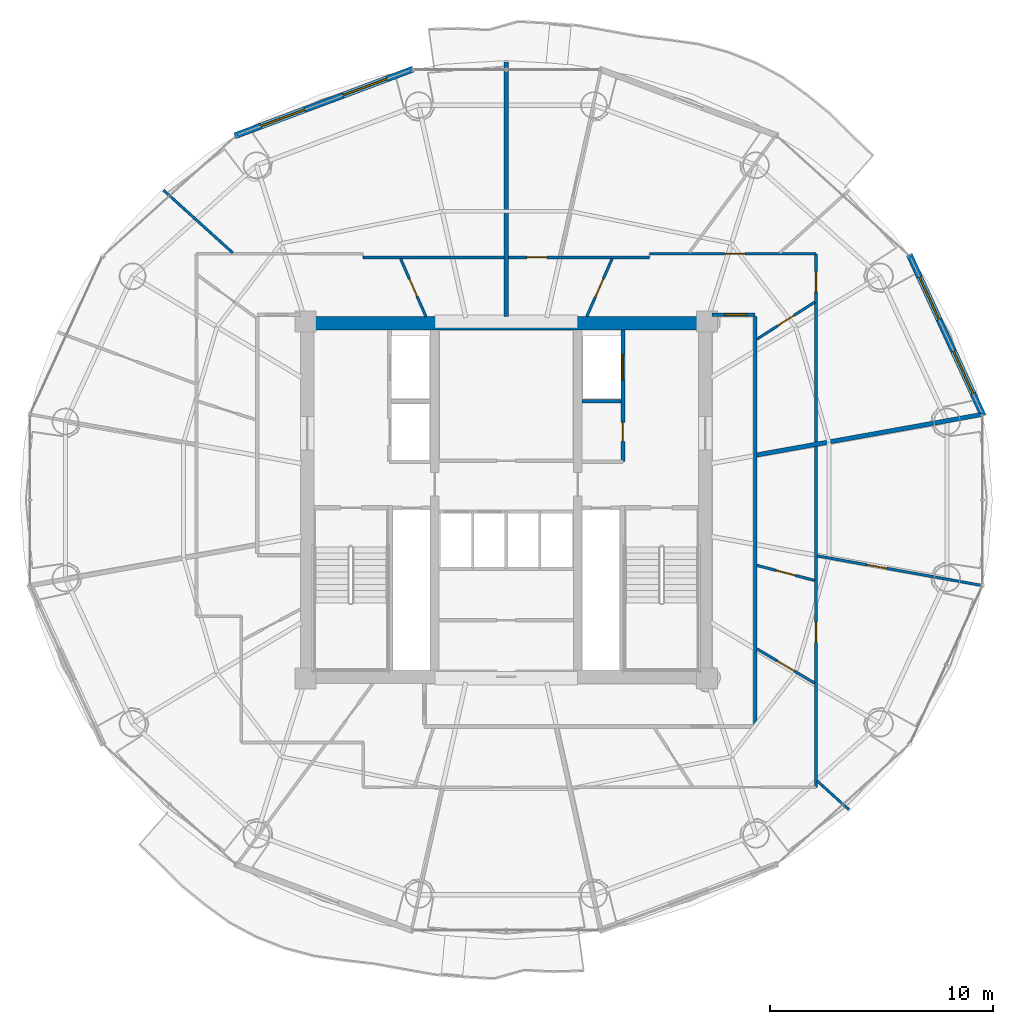
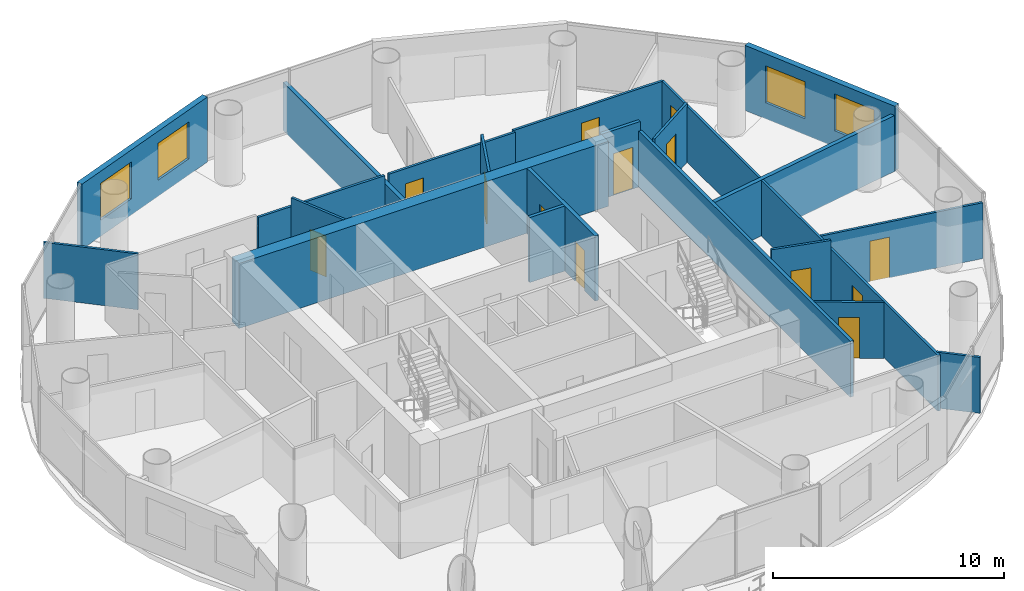
# One storey, part 22 of 27: 22 walls, 13 doors, 4 windows, 17 openings.
"""IFC4 building model written with IfcOpenShell, lengths in metres."""

from ifc_helpers import new_model, si_unit, direction, frame, frame_2d, origin, place, context, subcontext, project, spatial, rectangle, extrude, source, transform, mapped, material, layer, layer_set, type_object, element, fill, save


model = new_model("IFC4")

# Units and contexts
model_context = context("Model", 3, precision=1e-05, world=origin(), true_north=direction((-0.2419218956, 0.970295726276)))
body_context = subcontext(model_context, "Body", "Model", "MODEL_VIEW")
ifc_project = project(units=[si_unit("LENGTHUNIT", "METRE"), si_unit("AREAUNIT", "SQUARE_METRE"), si_unit("VOLUMEUNIT", "CUBIC_METRE"), si_unit("PLANEANGLEUNIT", "RADIAN"), si_unit("MASSUNIT", "GRAM", prefix="KILO")], contexts=[model_context])

# Site, building, storey
site_placement = place(None, origin())
site = spatial("IfcSite", under=ifc_project, at=site_placement, CompositionType="ELEMENT")
building_placement = place(site_placement, origin())
building = spatial("IfcBuilding", under=site, at=building_placement, Name="Cobrevalo Terracotta Tower", CompositionType="ELEMENT")
storey_placement = place(building_placement, frame((0.0, 0.0, 191.199951171875)))
storey = spatial("IfcBuildingStorey", under=building, at=storey_placement, Name="L50", CompositionType="ELEMENT", Elevation=191.199951171875)

# Walls
ifc_material_1 = material(Name="Concrete C55", Category="concrete")
ifc_layer_1 = layer(ifc_material_1, 0.60009765625)
ifc_layer_set_1 = layer_set([ifc_layer_1], Name="Concrete C55")
wall_type_1 = type_object("IfcWallType", Name="Core shear wall 600 mm Concrete C55", PredefinedType="SHEAR", material=ifc_layer_set_1)
wall_1_placement = place(storey_placement, frame((28.77490234375, 34.72509765625, 0.0), z_axis=(0.0, 0.0, 1.0), x_axis=(1.0, 0.0, 0.0)))
element("IfcWall", 1, at=wall_1_placement, inside=storey, type_object=wall_type_1, Name="L50 north core shear wall", PredefinedType="SHEAR", context=body_context, shape_type="SweptSolid", body=[
    extrude(rectangle(XDim=18.4501953125, YDim=0.60009765625, at=frame_2d((9.22509765625, 0.0))), origin(), (0.0, 0.0, 1.0), 3.43505859375),
])
ifc_material_2 = material(Name="Gypsum board on steel stud", Category="steel")
ifc_layer_2 = layer(ifc_material_2, 0.159912109375)
ifc_layer_set_2 = layer_set([ifc_layer_2], Name="Gypsum board on steel stud")
wall_type_2 = type_object("IfcWallType", Name="Fire-rated corridor acoustic partition wall 160 mm", PredefinedType="PARTITIONING", material=ifc_layer_set_2)
wall_2_placement = place(storey_placement, frame((41.389892578125, 31.219970703125, 0.0), z_axis=(0.0, 0.0, 1.0), x_axis=(1.0, 0.0, 0.0)))
element("IfcWall", 2, at=wall_2_placement, inside=storey, type_object=wall_type_2, Name="L50 interior partition IW-L50-FF2-M", PredefinedType="PARTITIONING", context=body_context, shape_type="SweptSolid", body=[
    extrude(rectangle(XDim=1.75, YDim=0.159912109375, at=frame_2d((0.875, 0.0))), origin(), (0.0, 0.0, 1.0), 3.43505859375),
])
wall_3_placement = place(storey_placement, frame((49.155029296875, 16.72509765625, 0.0), z_axis=(0.0, 0.0, 1.0), x_axis=(0.0, 1.0, 0.0)))
element("IfcWall", 3, at=wall_3_placement, inside=storey, type_object=wall_type_2, Name="L50 interior partition IW-L50-COR-E", PredefinedType="PARTITIONING", context=body_context, shape_type="SweptSolid", body=[
    extrude(rectangle(XDim=18.2998046875, YDim=0.159912109375, at=frame_2d((9.14990234375, 0.0))), origin(), (0.0, 0.0, 1.0), 2.950927734375),
])

# Wall, opening, door
wall_4_placement = place(storey_placement, frame((47.22509765625, 35.10498046875, 0.0), z_axis=(0.0, 0.0, 1.0), x_axis=(1.0, 0.0, 0.0)))
wall_4 = element("IfcWall", 4, at=wall_4_placement, inside=storey, type_object=wall_type_2, Name="L50 interior partition IW-L50-COR-EN-CAP", PredefinedType="PARTITIONING", context=body_context, shape_type="SweptSolid", body=[
    extrude(rectangle(XDim=1.929931640625, YDim=0.159912109375, at=frame_2d((0.96484375, 0.0))), origin(), (0.0, 0.0, 1.0), 3.43505859375),
])
opening_1_placement = place(wall_4_placement, frame((0.580078125, 0.0, 0.0)))
opening_1 = element("IfcOpeningElement", 5, at=opening_1_placement, cuts=wall_4, Name="Opening ID-05", PredefinedType="OPENING", context=body_context, shape_type="SweptSolid", body=[
    extrude(rectangle(XDim=0.97998046875, YDim=2.199951171875, at=frame_2d((0.489990234375, 1.10009765625))), frame((0.0, 0.08984375, 0.0), z_axis=(0.0, -1.0, 0.0), x_axis=(1.0, 0.0, 0.0)), (0.0, 0.0, 1.0), 0.179931640625),
])
ifc_material_3 = material(Name="Solid hardwood timber", Category="wood")
door_type_1 = type_object("IfcDoorType", Name="Residence entrance fire-rated acoustic timber door 980x2200 EI 60", OperationType="NOTDEFINED", PredefinedType="DOOR", material=ifc_material_3)
shared_shape_1 = source(origin(), body_context, "Body", "SweptSolid", [
    extrude(rectangle(XDim=0.97998046875, YDim=2.199951171875, at=frame_2d((0.489990234375, 1.10009765625))), frame((0.0, 0.02490234375, 0.0), z_axis=(0.0, -1.0, 0.0), x_axis=(1.0, 0.0, 0.0)), (0.0, 0.0, 1.0), 0.050048828125),
])
door_1_placement = place(opening_1_placement, origin())
door_1 = element("IfcDoor", 6, at=door_1_placement, inside=storey, type_object=door_type_1, Name="Flat L50A fire-rated apartment entrance door", OperationType="SINGLE_SWING_LEFT", OverallHeight=2.199951171875, OverallWidth=0.97998046875, PredefinedType="DOOR", context=body_context, shape_type="MappedRepresentation", body=[
    mapped(shared_shape_1, transform((0.0, 0.0, 0.0), scale=1.0)),
])
fill(opening_1, door_1)

# Wall, openings, doors
ifc_layer_3 = layer(ifc_material_2, 0.179931640625)
ifc_layer_set_3 = layer_set([ifc_layer_3], Name="Gypsum board on steel stud")
wall_type_3 = type_object("IfcWallType", Name="Fire-rated shaft & lobby acoustic partition wall 180 mm", PredefinedType="PARTITIONING", material=ifc_layer_set_3)
wall_5_placement = place(storey_placement, frame((43.22998046875, 28.52001953125, 0.0), z_axis=(0.0, 0.0, 1.0), x_axis=(0.0, 1.0, 0.0)))
wall_5 = element("IfcWall", 7, at=wall_5_placement, inside=storey, type_object=wall_type_3, Name="L50 interior partition IW-L50-FF2-E", PredefinedType="PARTITIONING", context=body_context, shape_type="SweptSolid", body=[
    extrude(rectangle(XDim=5.905029296875, YDim=0.179931640625, at=frame_2d((2.95263671875, 0.0))), origin(), (0.0, 0.0, 1.0), 3.43505859375),
])
opening_2_placement = place(wall_5_placement, frame((0.905029296875, 0.0, 0.0)))
opening_2 = element("IfcOpeningElement", 8, at=opening_2_placement, cuts=wall_5, Name="Opening ID-22", PredefinedType="OPENING", context=body_context, shape_type="SweptSolid", body=[
    extrude(rectangle(XDim=0.85009765625, YDim=2.10009765625, at=frame_2d((0.425048828125, 1.050048828125))), frame((0.0, 0.10009765625, 0.0), z_axis=(0.0, -1.0, 0.0), x_axis=(1.0, 0.0, 0.0)), (0.0, 0.0, 1.0), 0.199951171875),
])
opening_3_placement = place(wall_5_placement, frame((3.655029296875, 0.0, 0.0)))
opening_3 = element("IfcOpeningElement", 9, at=opening_3_placement, cuts=wall_5, Name="Opening LD-02", PredefinedType="OPENING", context=body_context, shape_type="SweptSolid", body=[
    extrude(rectangle(XDim=1.14990234375, YDim=2.199951171875, at=frame_2d((0.574951171875, 1.10009765625))), frame((0.0, 0.10009765625, 0.0), z_axis=(0.0, -1.0, 0.0), x_axis=(1.0, 0.0, 0.0)), (0.0, 0.0, 1.0), 0.199951171875),
])
ifc_material_4 = material(Name="Powder-coated steel", Category="steel")
door_type_2 = type_object("IfcDoorType", Name="Riser shaft & meter closet fire access door 850x2100 EI 60", OperationType="NOTDEFINED", PredefinedType="DOOR", material=ifc_material_4)
shared_shape_2 = source(origin(), body_context, "Body", "SweptSolid", [
    extrude(rectangle(XDim=0.85009765625, YDim=2.10009765625, at=frame_2d((0.425048828125, 1.050048828125))), frame((0.0, 0.02490234375, 0.0), z_axis=(0.0, -1.0, 0.0), x_axis=(1.0, 0.0, 0.0)), (0.0, 0.0, 1.0), 0.050048828125),
])
door_2_placement = place(opening_2_placement, frame((0.85009765625, 0.0, 0.0), z_axis=(0.0, 0.0, 1.0), x_axis=(-1.0, 0.0, 0.0)))
door_2 = element("IfcDoor", 10, at=door_2_placement, inside=storey, type_object=door_type_2, Name="L50 housekeeping store door", OperationType="SINGLE_SWING_RIGHT", OverallHeight=2.10009765625, OverallWidth=0.85009765625, PredefinedType="DOOR", context=body_context, shape_type="MappedRepresentation", body=[
    mapped(shared_shape_2, transform((0.0, 0.0, 0.0), scale=1.0)),
])
fill(opening_2, door_2)
ifc_material_5 = material(Name="Brushed stainless steel", Category="steel")
door_type_3 = type_object("IfcDoorType", Name="Firefighting lift landing bi-parting sliding door 1150x2200 EI 120", OperationType="DOUBLE_DOOR_SLIDING", PredefinedType="DOOR", material=ifc_material_5)
shared_shape_3 = source(origin(), body_context, "Body", "SweptSolid", [
    extrude(rectangle(XDim=1.14990234375, YDim=2.199951171875, at=frame_2d((0.574951171875, 1.10009765625))), frame((0.0, 0.02490234375, 0.0), z_axis=(0.0, -1.0, 0.0), x_axis=(1.0, 0.0, 0.0)), (0.0, 0.0, 1.0), 0.050048828125),
])
door_3_placement = place(opening_3_placement, origin())
door_3 = element("IfcDoor", 11, at=door_3_placement, inside=storey, type_object=door_type_3, Name="L50 lift landing door FF-2", OperationType="DOUBLE_DOOR_SLIDING", OverallHeight=2.199951171875, OverallWidth=1.14990234375, PredefinedType="DOOR", context=body_context, shape_type="MappedRepresentation", body=[
    mapped(shared_shape_3, transform((0.0, 0.0, 0.0), scale=1.0)),
])
fill(opening_3, door_3)

# Walls
ifc_material_6 = material(Name="Autoclaved aerated concrete block", Category="concrete")
ifc_layer_4 = layer(ifc_material_6, 0.199951171875)
ifc_layer_set_4 = layer_set([ifc_layer_4], Name="Autoclaved aerated concrete block")
wall_type_4 = type_object("IfcWallType", Name="Fire-rated stair, shaft & demising masonry wall 200 mm", PredefinedType="PARTITIONING", material=ifc_layer_set_4)
wall_6_placement = place(storey_placement, frame((49.237060546875, 28.81982421875, 0.0), z_axis=(0.0, 0.0, 1.0), x_axis=(0.984224859606, 0.176922089446, 0.0)))
element("IfcWall", 12, at=wall_6_placement, inside=storey, type_object=wall_type_4, Name="L50 interior partition IW-L50-DEM-1", PredefinedType="PARTITIONING", context=body_context, shape_type="SweptSolid", body=[
    extrude(rectangle(XDim=10.200439453125, YDim=0.199951171875, at=frame_2d((5.10009765625, 0.0))), origin(), (0.0, 0.0, 1.0), 2.950927734375),
])
wall_7_placement = place(storey_placement, frame((38.0, 35.027099609375, 0.0), z_axis=(0.0, 0.0, 1.0), x_axis=(0.0, 1.0, 0.0)))
element("IfcWall", 13, at=wall_7_placement, inside=storey, type_object=wall_type_4, Name="L50 interior partition IW-L50-DEM-2", PredefinedType="PARTITIONING", context=body_context, shape_type="SweptSolid", body=[
    extrude(rectangle(XDim=11.412841796875, YDim=0.199951171875, at=frame_2d((5.70654296875, 0.0))), origin(), (0.0, 0.0, 1.0), 2.52001953125),
])

# Wall, openings, windows
ifc_layer_5 = layer(ifc_material_6, 0.280029296875)
ifc_layer_set_5 = layer_set([ifc_layer_5], Name="Autoclaved aerated concrete block")
wall_type_5 = type_object("IfcWallType", Name="Insulated tower spandrel & pier wall 280 mm with terracotta rainscreen", PredefinedType="SOLIDWALL", material=ifc_layer_set_5)
wall_8_placement = place(storey_placement, frame((59.385009765625, 30.564697265625, 0.0), z_axis=(0.0, 0.0, 1.0), x_axis=(-0.416717018135, 0.909036262641, 0.0)))
wall_8 = element("IfcWall", 14, at=wall_8_placement, inside=storey, type_object=wall_type_5, Name="L50 terracotta rainscreen pier wall S01", PredefinedType="SOLIDWALL", context=body_context, shape_type="SweptSolid", body=[
    extrude(rectangle(XDim=7.960205078125, YDim=0.280029296875, at=frame_2d((3.97998046875, 0.0))), origin(), (0.0, 0.0, 1.0), 3.43505859375),
])
opening_4_placement = place(wall_8_placement, frame((1.099365234375, 0.0, 0.85009765625)))
opening_4 = element("IfcOpeningElement", 15, at=opening_4_placement, cuts=wall_8, Name="Opening WN-10", PredefinedType="OPENING", context=body_context, shape_type="SweptSolid", body=[
    extrude(rectangle(XDim=2.10009765625, YDim=1.949951171875, at=frame_2d((1.050048828125, 0.97509765625))), frame((0.0, 0.14990234375, 0.0), z_axis=(0.0, -1.0, 0.0), x_axis=(1.0, 0.0, 0.0)), (0.0, 0.0, 1.0), 0.300048828125),
])
opening_5_placement = place(wall_8_placement, frame((4.760986328125, 0.0, 0.85009765625)))
opening_5 = element("IfcOpeningElement", 16, at=opening_5_placement, cuts=wall_8, Name="Opening WN-10", PredefinedType="OPENING", context=body_context, shape_type="SweptSolid", body=[
    extrude(rectangle(XDim=2.10009765625, YDim=1.949951171875, at=frame_2d((1.050048828125, 0.97509765625))), frame((0.0, 0.14990234375, 0.0), z_axis=(0.0, -1.0, 0.0), x_axis=(1.0, 0.0, 0.0)), (0.0, 0.0, 1.0), 0.300048828125),
])
ifc_material_7 = material(Name="Solar-control low-E double glazing", Category="glass")
window_type = type_object("IfcWindowType", Name="Wide panoramic low-E aluminium window 2100x1950", PartitioningType="SINGLE_PANEL", PredefinedType="WINDOW", material=ifc_material_7)
shared_shape_4 = source(origin(), body_context, "Body", "SweptSolid", [
    extrude(rectangle(XDim=2.10009765625, YDim=1.949951171875, at=frame_2d((1.050048828125, 0.97509765625))), frame((0.0, 0.030029296875, 0.0), z_axis=(0.0, -1.0, 0.0), x_axis=(1.0, 0.0, 0.0)), (0.0, 0.0, 1.0), 0.06005859375),
])
window_1_placement = place(opening_4_placement, origin())
window_1 = element("IfcWindow", 17, at=window_1_placement, inside=storey, type_object=window_type, Name="L50 suite window S01A", OverallHeight=1.949951171875, OverallWidth=2.10009765625, PartitioningType="SINGLE_PANEL", PredefinedType="WINDOW", context=body_context, shape_type="MappedRepresentation", body=[
    mapped(shared_shape_4, transform((0.0, 0.0, 0.0), scale=1.0)),
])
fill(opening_4, window_1)
window_2_placement = place(opening_5_placement, origin())
window_2 = element("IfcWindow", 18, at=window_2_placement, inside=storey, type_object=window_type, Name="L50 suite window S01B", OverallHeight=1.949951171875, OverallWidth=2.10009765625, PartitioningType="SINGLE_PANEL", PredefinedType="WINDOW", context=body_context, shape_type="MappedRepresentation", body=[
    mapped(shared_shape_4, transform((0.0, 0.0, 0.0), scale=1.0)),
])
fill(opening_5, window_2)

wall_9_placement = place(storey_placement, frame((33.827880859375, 46.1201171875, 0.0), z_axis=(0.0, 0.0, 1.0), x_axis=(-0.936556918375, -0.350515532672, 0.0)))
wall_9 = element("IfcWall", 19, at=wall_9_placement, inside=storey, type_object=wall_type_5, Name="L50 terracotta rainscreen pier wall S05", PredefinedType="SOLIDWALL", context=body_context, shape_type="SweptSolid", body=[
    extrude(rectangle(XDim=8.539306640625, YDim=0.280029296875, at=frame_2d((4.26953125, 0.0))), origin(), (0.0, 0.0, 1.0), 3.43505859375),
])
opening_6_placement = place(wall_9_placement, frame((1.255615234375, 0.0, 0.85009765625)))
opening_6 = element("IfcOpeningElement", 20, at=opening_6_placement, cuts=wall_9, Name="Opening WN-10", PredefinedType="OPENING", context=body_context, shape_type="SweptSolid", body=[
    extrude(rectangle(XDim=2.10009765625, YDim=1.949951171875, at=frame_2d((1.050048828125, 0.97509765625))), frame((0.0, 0.14990234375, 0.0), z_axis=(0.0, -1.0, 0.0), x_axis=(1.0, 0.0, 0.0)), (0.0, 0.0, 1.0), 0.300048828125),
])
opening_7_placement = place(wall_9_placement, frame((5.18359375, 0.0, 0.85009765625)))
opening_7 = element("IfcOpeningElement", 21, at=opening_7_placement, cuts=wall_9, Name="Opening WN-10", PredefinedType="OPENING", context=body_context, shape_type="SweptSolid", body=[
    extrude(rectangle(XDim=2.10009765625, YDim=1.949951171875, at=frame_2d((1.050048828125, 0.97509765625))), frame((0.0, 0.14990234375, 0.0), z_axis=(0.0, -1.0, 0.0), x_axis=(1.0, 0.0, 0.0)), (0.0, 0.0, 1.0), 0.300048828125),
])
window_3_placement = place(opening_6_placement, origin())
window_3 = element("IfcWindow", 22, at=window_3_placement, inside=storey, type_object=window_type, Name="L50 suite window S05A", OverallHeight=1.949951171875, OverallWidth=2.10009765625, PartitioningType="SINGLE_PANEL", PredefinedType="WINDOW", context=body_context, shape_type="MappedRepresentation", body=[
    mapped(shared_shape_4, transform((0.0, 0.0, 0.0), scale=1.0)),
])
fill(opening_6, window_3)
window_4_placement = place(opening_7_placement, origin())
window_4 = element("IfcWindow", 23, at=window_4_placement, inside=storey, type_object=window_type, Name="L50 suite window S05B", OverallHeight=1.949951171875, OverallWidth=2.10009765625, PartitioningType="SINGLE_PANEL", PredefinedType="WINDOW", context=body_context, shape_type="MappedRepresentation", body=[
    mapped(shared_shape_4, transform((0.0, 0.0, 0.0), scale=1.0)),
])
fill(opening_7, window_4)

# Wall, opening, door
ifc_layer_6 = layer(ifc_material_2, 0.1201171875)
ifc_layer_set_6 = layer_set([ifc_layer_6], Name="Gypsum board on steel stud")
wall_type_6 = type_object("IfcWallType", Name="Residential internal acoustic stud partition 120 mm", PredefinedType="PARTITIONING", material=ifc_layer_set_6)
wall_10_placement = place(storey_placement, frame((38.10205078125, 37.675048828125, 0.0), z_axis=(0.0, 0.0, 1.0), x_axis=(1.0, 0.0, 0.0)))
wall_10 = element("IfcWall", 24, at=wall_10_placement, inside=storey, type_object=wall_type_6, Name="L50 interior partition IW-L50-U1-RING0_0", PredefinedType="PARTITIONING", context=body_context, shape_type="SweptSolid", body=[
    extrude(rectangle(XDim=6.31298828125, YDim=0.1201171875, at=frame_2d((3.156494140625, 0.0))), origin(), (0.0, 0.0, 1.0), 2.950927734375),
])
opening_8_placement = place(wall_10_placement, frame((0.81884765625, 0.0, 0.0)))
opening_8 = element("IfcOpeningElement", 25, at=opening_8_placement, cuts=wall_10, Name="Opening ID-12", PredefinedType="OPENING", context=body_context, shape_type="SweptSolid", body=[
    extrude(rectangle(XDim=0.89990234375, YDim=2.14990234375, at=frame_2d((0.449951171875, 1.074951171875))), frame((0.0, 0.070068359375, 0.0), z_axis=(0.0, -1.0, 0.0), x_axis=(1.0, 0.0, 0.0)), (0.0, 0.0, 1.0), 0.14013671875),
])
ifc_material_8 = material(Name="Engineered timber", Category="wood")
door_type_4 = type_object("IfcDoorType", Name="Internal residence & suite timber door 900x2150", OperationType="NOTDEFINED", PredefinedType="DOOR", material=ifc_material_8)
shared_shape_5 = source(origin(), body_context, "Body", "SweptSolid", [
    extrude(rectangle(XDim=0.89990234375, YDim=2.14990234375, at=frame_2d((0.449951171875, 1.074951171875))), frame((0.0, 0.02490234375, 0.0), z_axis=(0.0, -1.0, 0.0), x_axis=(1.0, 0.0, 0.0)), (0.0, 0.0, 1.0), 0.050048828125),
])
door_4_placement = place(opening_8_placement, origin())
door_4 = element("IfcDoor", 26, at=door_4_placement, inside=storey, type_object=door_type_4, Name="Flat L50A Penthouse Family Lounge internal door", OperationType="SINGLE_SWING_LEFT", OverallHeight=2.14990234375, OverallWidth=0.89990234375, PredefinedType="DOOR", context=body_context, shape_type="MappedRepresentation", body=[
    mapped(shared_shape_5, transform((0.0, 0.0, 0.0), scale=1.0)),
])
fill(opening_8, door_4)

wall_11_placement = place(storey_placement, frame((44.4150390625, 37.8349609375, 0.0), z_axis=(0.0, 0.0, 1.0), x_axis=(1.0, 0.0, 0.0)))
wall_11 = element("IfcWall", 27, at=wall_11_placement, inside=storey, type_object=wall_type_6, Name="L50 interior partition IW-L50-U1-RING2_0", PredefinedType="PARTITIONING", context=body_context, shape_type="SweptSolid", body=[
    extrude(rectangle(XDim=7.469970703125, YDim=0.1201171875, at=frame_2d((3.73486328125, 0.0))), origin(), (0.0, 0.0, 1.0), 2.950927734375),
])
opening_9_placement = place(wall_11_placement, frame((3.37939453125, 0.0, 0.0)))
opening_9 = element("IfcOpeningElement", 28, at=opening_9_placement, cuts=wall_11, Name="Opening ID-12", PredefinedType="OPENING", context=body_context, shape_type="SweptSolid", body=[
    extrude(rectangle(XDim=0.89990234375, YDim=2.14990234375, at=frame_2d((0.449951171875, 1.074951171875))), frame((0.0, 0.070068359375, 0.0), z_axis=(0.0, -1.0, 0.0), x_axis=(1.0, 0.0, 0.0)), (0.0, 0.0, 1.0), 0.14013671875),
])
door_5_placement = place(opening_9_placement, origin())
door_5 = element("IfcDoor", 29, at=door_5_placement, inside=storey, type_object=door_type_4, Name="Flat L50A Master Bedroom internal door", OperationType="SINGLE_SWING_RIGHT", OverallHeight=2.14990234375, OverallWidth=0.89990234375, PredefinedType="DOOR", context=body_context, shape_type="MappedRepresentation", body=[
    mapped(shared_shape_5, transform((0.0, 0.0, 0.0), scale=1.0)),
])
fill(opening_9, door_5)

wall_12_placement = place(storey_placement, frame((51.885009765625, 37.8349609375, 0.0), z_axis=(0.0, 0.0, 1.0), x_axis=(0.0, -1.0, 0.0)))
wall_12 = element("IfcWall", 30, at=wall_12_placement, inside=storey, type_object=wall_type_6, Name="L50 interior partition IW-L50-U1-RING3_0", PredefinedType="PARTITIONING", context=body_context, shape_type="SweptSolid", body=[
    extrude(rectangle(XDim=8.43701171875, YDim=0.1201171875, at=frame_2d((4.218505859375, 0.0))), origin(), (0.0, 0.0, 1.0), 2.950927734375),
])
opening_10_placement = place(wall_12_placement, frame((0.7958984375, 0.0, 0.0)))
opening_10 = element("IfcOpeningElement", 31, at=opening_10_placement, cuts=wall_12, Name="Opening ID-12", PredefinedType="OPENING", context=body_context, shape_type="SweptSolid", body=[
    extrude(rectangle(XDim=0.89990234375, YDim=2.14990234375, at=frame_2d((0.449951171875, 1.074951171875))), frame((0.0, 0.070068359375, 0.0), z_axis=(0.0, -1.0, 0.0), x_axis=(1.0, 0.0, 0.0)), (0.0, 0.0, 1.0), 0.14013671875),
])
door_6_placement = place(opening_10_placement, origin())
door_6 = element("IfcDoor", 32, at=door_6_placement, inside=storey, type_object=door_type_4, Name="Flat L50A Living and Dining Room internal door", OperationType="SINGLE_SWING_LEFT", OverallHeight=2.14990234375, OverallWidth=0.89990234375, PredefinedType="DOOR", context=body_context, shape_type="MappedRepresentation", body=[
    mapped(shared_shape_5, transform((0.0, 0.0, 0.0), scale=1.0)),
])
fill(opening_10, door_6)

wall_13_placement = place(storey_placement, frame((49.236572265625, 34.00927734375, 0.0), z_axis=(0.0, 0.0, 1.0), x_axis=(0.841651322174, 0.540021343915, 0.0)))
wall_13 = element("IfcWall", 33, at=wall_13_placement, inside=storey, type_object=wall_type_6, Name="L50 interior partition IW-L50-U1-IRAD1", PredefinedType="PARTITIONING", context=body_context, shape_type="SweptSolid", body=[
    extrude(rectangle(XDim=3.084716796875, YDim=0.1201171875, at=frame_2d((1.54248046875, 0.0))), origin(), (0.0, 0.0, 1.0), 3.110107421875),
])
opening_11_placement = place(wall_13_placement, frame((1.1123046875, 0.0, 0.0)))
opening_11 = element("IfcOpeningElement", 34, at=opening_11_placement, cuts=wall_13, Name="Opening ID-19", PredefinedType="OPENING", context=body_context, shape_type="SweptSolid", body=[
    extrude(rectangle(XDim=0.860107421875, YDim=2.14990234375, at=frame_2d((0.43017578125, 1.074951171875))), frame((0.0, 0.070068359375, 0.0), z_axis=(0.0, -1.0, 0.0), x_axis=(1.0, 0.0, 0.0)), (0.0, 0.0, 1.0), 0.14013671875),
])
ifc_material_9 = material(Name="Moisture-sealed timber", Category="wood")
door_type_5 = type_object("IfcDoorType", Name="Suite bathroom internal timber door 860x2150", OperationType="NOTDEFINED", PredefinedType="DOOR", material=ifc_material_9)
shared_shape_6 = source(origin(), body_context, "Body", "SweptSolid", [
    extrude(rectangle(XDim=0.860107421875, YDim=2.14990234375, at=frame_2d((0.43017578125, 1.074951171875))), frame((0.0, 0.02490234375, 0.0), z_axis=(0.0, -1.0, 0.0), x_axis=(1.0, 0.0, 0.0)), (0.0, 0.0, 1.0), 0.050048828125),
])
door_7_placement = place(opening_11_placement, frame((0.860107421875, 0.0, 0.0), z_axis=(0.0, 0.0, 1.0), x_axis=(-1.0, 0.0, 0.0)))
door_7 = element("IfcDoor", 35, at=door_7_placement, inside=storey, type_object=door_type_5, Name="Flat L50A Primary Bathroom internal door", OperationType="SINGLE_SWING_RIGHT", OverallHeight=2.14990234375, OverallWidth=0.860107421875, PredefinedType="DOOR", context=body_context, shape_type="MappedRepresentation", body=[
    mapped(shared_shape_6, transform((0.0, 0.0, 0.0), scale=1.0)),
])
fill(opening_11, door_7)

wall_14_placement = place(storey_placement, frame((41.609619140625, 35.02685546875, 0.0), z_axis=(0.0, 0.0, 1.0), x_axis=(0.401859508224, 0.915701335398, 0.0)))
wall_14 = element("IfcWall", 36, at=wall_14_placement, inside=storey, type_object=wall_type_6, Name="L50 interior partition IW-L50-U1-IRAD2", PredefinedType="PARTITIONING", context=body_context, shape_type="SweptSolid", body=[
    extrude(rectangle(XDim=2.829833984375, YDim=0.1201171875, at=frame_2d((1.4150390625, 0.0))), origin(), (0.0, 0.0, 1.0), 3.43505859375),
])
opening_12_placement = place(wall_14_placement, frame((0.96484375, 0.0, 0.0)))
opening_12 = element("IfcOpeningElement", 37, at=opening_12_placement, cuts=wall_14, Name="Opening ID-12", PredefinedType="OPENING", context=body_context, shape_type="SweptSolid", body=[
    extrude(rectangle(XDim=0.89990234375, YDim=2.14990234375, at=frame_2d((0.449951171875, 1.074951171875))), frame((0.0, 0.070068359375, 0.0), z_axis=(0.0, -1.0, 0.0), x_axis=(1.0, 0.0, 0.0)), (0.0, 0.0, 1.0), 0.14013671875),
])
door_8_placement = place(opening_12_placement, origin())
door_8 = element("IfcDoor", 38, at=door_8_placement, inside=storey, type_object=door_type_4, Name="Flat L50A Kitchen internal door", OperationType="SINGLE_SWING_RIGHT", OverallHeight=2.14990234375, OverallWidth=0.89990234375, PredefinedType="DOOR", context=body_context, shape_type="MappedRepresentation", body=[
    mapped(shared_shape_5, transform((0.0, 0.0, 0.0), scale=1.0)),
])
fill(opening_12, door_8)

# Walls
wall_15_placement = place(storey_placement, frame((31.5849609375, 37.675048828125, 0.0), z_axis=(0.0, 0.0, 1.0), x_axis=(1.0, 0.0, 0.0)))
element("IfcWall", 39, at=wall_15_placement, inside=storey, type_object=wall_type_6, Name="L50 interior partition IW-L50-U2-RING3_0", PredefinedType="PARTITIONING", context=body_context, shape_type="SweptSolid", body=[
    extrude(rectangle(XDim=6.31298828125, YDim=0.1201171875, at=frame_2d((3.156494140625, 0.0))), origin(), (0.0, 0.0, 1.0), 2.950927734375),
])
wall_16_placement = place(storey_placement, frame((25.74267578125, 37.87646484375, 0.0), z_axis=(0.0, 0.0, 1.0), x_axis=(-0.741943837234, 0.670462036502, 0.0)))
element("IfcWall", 40, at=wall_16_placement, inside=storey, type_object=wall_type_6, Name="L50 interior partition IW-L50-U2-ORAD1", PredefinedType="PARTITIONING", context=body_context, shape_type="SweptSolid", body=[
    extrude(rectangle(XDim=4.194091796875, YDim=0.1201171875, at=frame_2d((2.09716796875, 0.0))), origin(), (0.0, 0.0, 1.0), 2.950927734375),
])

# Wall, opening, door
wall_17_placement = place(storey_placement, frame((34.3974609375, 35.02685546875, 0.0), z_axis=(0.0, 0.0, 1.0), x_axis=(-0.401135725485, 0.916018629581, 0.0)))
wall_17 = element("IfcWall", 41, at=wall_17_placement, inside=storey, type_object=wall_type_6, Name="L50 interior partition IW-L50-U2-IRAD1", PredefinedType="PARTITIONING", context=body_context, shape_type="SweptSolid", body=[
    extrude(rectangle(XDim=2.828857421875, YDim=0.1201171875, at=frame_2d((1.41455078125, 0.0))), origin(), (0.0, 0.0, 1.0), 3.43505859375),
])
opening_13_placement = place(wall_17_placement, frame((0.984619140625, 0.0, 0.0)))
opening_13 = element("IfcOpeningElement", 42, at=opening_13_placement, cuts=wall_17, Name="Opening ID-19", PredefinedType="OPENING", context=body_context, shape_type="SweptSolid", body=[
    extrude(rectangle(XDim=0.860107421875, YDim=2.14990234375, at=frame_2d((0.43017578125, 1.074951171875))), frame((0.0, 0.070068359375, 0.0), z_axis=(0.0, -1.0, 0.0), x_axis=(1.0, 0.0, 0.0)), (0.0, 0.0, 1.0), 0.14013671875),
])
door_9_placement = place(opening_13_placement, frame((0.860107421875, 0.0, 0.0), z_axis=(0.0, 0.0, 1.0), x_axis=(-1.0, 0.0, 0.0)))
door_9 = element("IfcDoor", 43, at=door_9_placement, inside=storey, type_object=door_type_5, Name="Flat L50B Primary Bathroom internal door", OperationType="SINGLE_SWING_LEFT", OverallHeight=2.14990234375, OverallWidth=0.860107421875, PredefinedType="DOOR", context=body_context, shape_type="MappedRepresentation", body=[
    mapped(shared_shape_6, transform((0.0, 0.0, 0.0), scale=1.0)),
])
fill(opening_13, door_9)

wall_18_placement = place(storey_placement, frame((51.885009765625, 29.19384765625, 0.0), z_axis=(0.0, 0.0, 1.0), x_axis=(0.0, -1.0, 0.0)))
wall_18 = element("IfcWall", 44, at=wall_18_placement, inside=storey, type_object=wall_type_6, Name="L50 interior partition IW-L50-U4-RING0_0", PredefinedType="PARTITIONING", context=body_context, shape_type="SweptSolid", body=[
    extrude(rectangle(XDim=15.27880859375, YDim=0.1201171875, at=frame_2d((7.639404296875, 0.0))), origin(), (0.0, 0.0, 1.0), 2.950927734375),
])
opening_14_placement = place(wall_18_placement, frame((7.873291015625, 0.0, 0.0)))
opening_14 = element("IfcOpeningElement", 45, at=opening_14_placement, cuts=wall_18, Name="Opening ID-12", PredefinedType="OPENING", context=body_context, shape_type="SweptSolid", body=[
    extrude(rectangle(XDim=0.89990234375, YDim=2.14990234375, at=frame_2d((0.449951171875, 1.074951171875))), frame((0.0, 0.070068359375, 0.0), z_axis=(0.0, -1.0, 0.0), x_axis=(1.0, 0.0, 0.0)), (0.0, 0.0, 1.0), 0.14013671875),
])
door_10_placement = place(opening_14_placement, origin())
door_10 = element("IfcDoor", 46, at=door_10_placement, inside=storey, type_object=door_type_4, Name="Flat L50D Master Bedroom internal door", OperationType="SINGLE_SWING_RIGHT", OverallHeight=2.14990234375, OverallWidth=0.89990234375, PredefinedType="DOOR", context=body_context, shape_type="MappedRepresentation", body=[
    mapped(shared_shape_5, transform((0.0, 0.0, 0.0), scale=1.0)),
])
fill(opening_14, door_10)

# Wall
wall_19_placement = place(storey_placement, frame((51.930908203125, 14.2109375, 0.0), z_axis=(0.0, 0.0, 1.0), x_axis=(0.741971265209, -0.670431683026, 0.0)))
element("IfcWall", 47, at=wall_19_placement, inside=storey, type_object=wall_type_6, Name="L50 interior partition IW-L50-U4-ORAD1", PredefinedType="PARTITIONING", context=body_context, shape_type="SweptSolid", body=[
    extrude(rectangle(XDim=1.9384765625, YDim=0.1201171875, at=frame_2d((0.96923828125, 0.0))), origin(), (0.0, 0.0, 1.0), 2.950927734375),
])

# Wall, opening, door
wall_20_placement = place(storey_placement, frame((51.946044921875, 24.293212890625, 0.0), z_axis=(0.0, 0.0, 1.0), x_axis=(0.984227185588, -0.176909149424, 0.0)))
wall_20 = element("IfcWall", 48, at=wall_20_placement, inside=storey, type_object=wall_type_6, Name="L50 interior partition IW-L50-U4-ORAD2", PredefinedType="PARTITIONING", context=body_context, shape_type="SweptSolid", body=[
    extrude(rectangle(XDim=7.447998046875, YDim=0.1201171875, at=frame_2d((3.72412109375, 0.0))), origin(), (0.0, 0.0, 1.0), 2.950927734375),
])
opening_15_placement = place(wall_20_placement, frame((2.263916015625, 0.0, 0.0)))
opening_15 = element("IfcOpeningElement", 49, at=opening_15_placement, cuts=wall_20, Name="Opening ID-12", PredefinedType="OPENING", context=body_context, shape_type="SweptSolid", body=[
    extrude(rectangle(XDim=0.89990234375, YDim=2.14990234375, at=frame_2d((0.449951171875, 1.074951171875))), frame((0.0, 0.070068359375, 0.0), z_axis=(0.0, -1.0, 0.0), x_axis=(1.0, 0.0, 0.0)), (0.0, 0.0, 1.0), 0.14013671875),
])
door_11_placement = place(opening_15_placement, origin())
door_11 = element("IfcDoor", 50, at=door_11_placement, inside=storey, type_object=door_type_4, Name="Flat L50D Principal Guest Bedroom internal door", OperationType="SINGLE_SWING_LEFT", OverallHeight=2.14990234375, OverallWidth=0.89990234375, PredefinedType="DOOR", context=body_context, shape_type="MappedRepresentation", body=[
    mapped(shared_shape_5, transform((0.0, 0.0, 0.0), scale=1.0)),
])
fill(opening_15, door_11)

wall_21_placement = place(storey_placement, frame((49.23681640625, 20.127685546875, 0.0), z_axis=(0.0, 0.0, 1.0), x_axis=(0.859818120481, -0.510600430565, 0.0)))
wall_21 = element("IfcWall", 51, at=wall_21_placement, inside=storey, type_object=wall_type_6, Name="L50 interior partition IW-L50-U4-IRAD2", PredefinedType="PARTITIONING", context=body_context, shape_type="SweptSolid", body=[
    extrude(rectangle(XDim=3.01806640625, YDim=0.1201171875, at=frame_2d((1.509033203125, 0.0))), origin(), (0.0, 0.0, 1.0), 2.950927734375),
])
opening_16_placement = place(wall_21_placement, frame((1.05908203125, 0.0, 0.0)))
opening_16 = element("IfcOpeningElement", 52, at=opening_16_placement, cuts=wall_21, Name="Opening ID-12", PredefinedType="OPENING", context=body_context, shape_type="SweptSolid", body=[
    extrude(rectangle(XDim=0.89990234375, YDim=2.14990234375, at=frame_2d((0.449951171875, 1.074951171875))), frame((0.0, 0.070068359375, 0.0), z_axis=(0.0, -1.0, 0.0), x_axis=(1.0, 0.0, 0.0)), (0.0, 0.0, 1.0), 0.14013671875),
])
door_12_placement = place(opening_16_placement, origin())
door_12 = element("IfcDoor", 53, at=door_12_placement, inside=storey, type_object=door_type_4, Name="Flat L50D Kitchen internal door", OperationType="SINGLE_SWING_RIGHT", OverallHeight=2.14990234375, OverallWidth=0.89990234375, PredefinedType="DOOR", context=body_context, shape_type="MappedRepresentation", body=[
    mapped(shared_shape_5, transform((0.0, 0.0, 0.0), scale=1.0)),
])
fill(opening_16, door_12)

wall_22_placement = place(storey_placement, frame((49.237060546875, 23.868408203125, 0.0), z_axis=(0.0, 0.0, 1.0), x_axis=(0.967622119215, -0.252403316946, 0.0)))
wall_22 = element("IfcWall", 54, at=wall_22_placement, inside=storey, type_object=wall_type_6, Name="L50 interior partition IW-L50-U4-IRAD3", PredefinedType="PARTITIONING", context=body_context, shape_type="SweptSolid", body=[
    extrude(rectangle(XDim=2.674560546875, YDim=0.1201171875, at=frame_2d((1.33740234375, 0.0))), origin(), (0.0, 0.0, 1.0), 3.43505859375),
])
opening_17_placement = place(wall_22_placement, frame((0.88720703125, 0.0, 0.0)))
opening_17 = element("IfcOpeningElement", 55, at=opening_17_placement, cuts=wall_22, Name="Opening ID-12", PredefinedType="OPENING", context=body_context, shape_type="SweptSolid", body=[
    extrude(rectangle(XDim=0.89990234375, YDim=2.14990234375, at=frame_2d((0.449951171875, 1.074951171875))), frame((0.0, 0.070068359375, 0.0), z_axis=(0.0, -1.0, 0.0), x_axis=(1.0, 0.0, 0.0)), (0.0, 0.0, 1.0), 0.14013671875),
])
door_13_placement = place(opening_17_placement, origin())
door_13 = element("IfcDoor", 56, at=door_13_placement, inside=storey, type_object=door_type_4, Name="Flat L50D Home Office Study internal door", OperationType="SINGLE_SWING_LEFT", OverallHeight=2.14990234375, OverallWidth=0.89990234375, PredefinedType="DOOR", context=body_context, shape_type="MappedRepresentation", body=[
    mapped(shared_shape_5, transform((0.0, 0.0, 0.0), scale=1.0)),
])
fill(opening_17, door_13)

save(model, "model.ifc")
